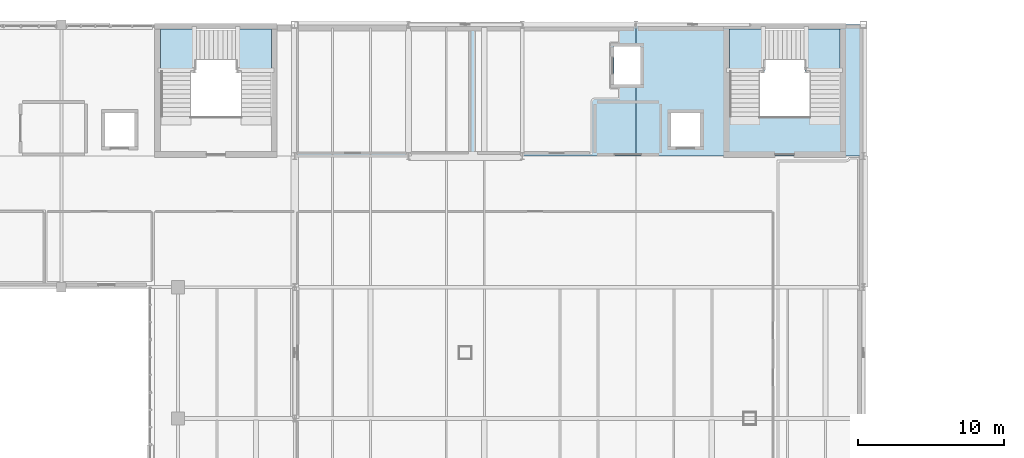
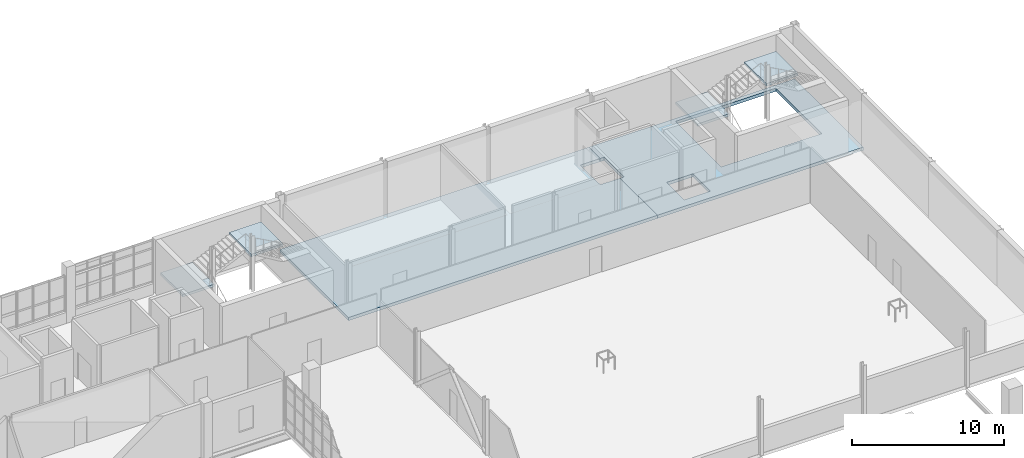
# One storey, part 23 of 38: 6 slabs, 2 elements without a shape of their own.
"""IFC4 building model written with IfcOpenShell, lengths in metres."""

from ifc_helpers import new_model, si_unit, derived_unit, direction, frame, origin, place, context, subcontext, project, spatial, polyline, outline, extrude, material, layer, layer_set, type_object, element, aggregate, save


model = new_model("IFC4")

# Units and contexts
model_context = context("Model", 3, precision=1e-05, world=origin(), true_north=direction((0.0, 1.0)))
body_context = subcontext(model_context, "Body", "Model", "MODEL_VIEW")
ifc_project = project(units=[si_unit("LENGTHUNIT", "METRE"), si_unit("AREAUNIT", "SQUARE_METRE"), si_unit("VOLUMEUNIT", "CUBIC_METRE"), si_unit("PLANEANGLEUNIT", "RADIAN"), si_unit("MASSUNIT", "GRAM", prefix="KILO"), derived_unit("THERMALTRANSMITTANCEUNIT", [(si_unit("POWERUNIT", "WATT"), 1), (si_unit("LENGTHUNIT", "METRE"), -2), (si_unit("THERMODYNAMICTEMPERATUREUNIT", "KELVIN"), -1)])], contexts=[model_context])

# Site, building, storey
site_placement = place(None, origin())
site = spatial("IfcSite", under=ifc_project, at=site_placement, CompositionType="ELEMENT")
building_placement = place(site_placement, origin())
building = spatial("IfcBuilding", under=site, at=building_placement, Name="Nallur Shell Playhouse", CompositionType="ELEMENT")
storey_placement = place(building_placement, frame((0.0, 0.0, 24.300048828125)))
storey = spatial("IfcBuildingStorey", under=building, at=storey_placement, Name="L06", CompositionType="ELEMENT", Elevation=24.300048828125)

# Stair, slabs
ifc_material_1 = material(Name="Concrete M35", Category="concrete")
stair_type = type_object("IfcStairType", Name="ST-CORE-45", PredefinedType="THREE_QUARTER_TURN_STAIR", material=ifc_material_1)
stair_1_placement = place(storey_placement, origin())
stair_1 = element("IfcStair", 1, at=stair_1_placement, inside=storey, type_object=stair_type, Name="Core JC-3 exit stair ST-03-L06 (L06 to RF1)", PredefinedType="THREE_QUARTER_TURN_STAIR")
ifc_layer_1 = layer(ifc_material_1, 0.199951171875)
ifc_layer_set_1 = layer_set([ifc_layer_1], Name="Concrete M35")
slab_type_1 = type_object("IfcSlabType", Name="SL-LANDING-200", PredefinedType="LANDING", material=ifc_layer_set_1)
slab_1_placement = place(storey_placement, frame((0.0, 0.0, 1.346923828125)))
slab_1 = element("IfcSlab", 2, at=slab_1_placement, type_object=slab_type_1, Name="ST-45 landing 1", PredefinedType="LANDING", context=body_context, shape_type="SweptSolid", body=[
    extrude(outline(polyline([(54.800048828125, 79.800048828125), (57.205078125, 79.800048828125), (57.205078125, 82.699951171875), (54.800048828125, 82.699951171875), (54.800048828125, 79.800048828125)])), origin(), (0.0, 0.0, 1.0), 0.199951171875),
])
slab_2_placement = place(storey_placement, frame((0.0, 0.0, 2.753173828125)))
slab_2 = element("IfcSlab", 3, at=slab_2_placement, type_object=slab_type_1, Name="ST-45 landing 2", PredefinedType="LANDING", context=body_context, shape_type="SweptSolid", body=[
    extrude(outline(polyline([(59.9951171875, 79.800048828125), (62.39990234375, 79.800048828125), (62.39990234375, 82.699951171875), (59.9951171875, 82.699951171875), (59.9951171875, 79.800048828125)])), origin(), (0.0, 0.0, 1.0), 0.199951171875),
])
aggregate(stair_1, [slab_1, slab_2])

stair_2_placement = place(storey_placement, origin())
stair_2 = element("IfcStair", 4, at=stair_2_placement, inside=storey, type_object=stair_type, Name="Core JC-4 exit stair ST-04-L06 (L06 to RF1)", PredefinedType="THREE_QUARTER_TURN_STAIR")
slab_3_placement = place(storey_placement, frame((0.0, 0.0, 1.346923828125)))
slab_3 = element("IfcSlab", 5, at=slab_3_placement, type_object=slab_type_1, Name="ST-45 landing 1", PredefinedType="LANDING", context=body_context, shape_type="SweptSolid", body=[
    extrude(outline(polyline([(93.800048828125, 79.800048828125), (96.205078125, 79.800048828125), (96.205078125, 82.699951171875), (93.800048828125, 82.699951171875), (93.800048828125, 79.800048828125)])), origin(), (0.0, 0.0, 1.0), 0.199951171875),
])
slab_4_placement = place(storey_placement, frame((0.0, 0.0, 2.753173828125)))
slab_4 = element("IfcSlab", 6, at=slab_4_placement, type_object=slab_type_1, Name="ST-45 landing 2", PredefinedType="LANDING", context=body_context, shape_type="SweptSolid", body=[
    extrude(outline(polyline([(98.9951171875, 79.800048828125), (101.39990234375, 79.800048828125), (101.39990234375, 82.699951171875), (98.9951171875, 82.699951171875), (98.9951171875, 79.800048828125)])), origin(), (0.0, 0.0, 1.0), 0.199951171875),
])
aggregate(stair_2, [slab_3, slab_4])

# Slabs
ifc_material_2 = material(Name="Concrete M30", Category="concrete")
ifc_layer_2 = layer(ifc_material_2, 0.25)
ifc_layer_set_2 = layer_set([ifc_layer_2], Name="Concrete M30")
slab_type_2 = type_object("IfcSlabType", Name="SL-UPPER-250", PredefinedType="FLOOR", material=ifc_layer_set_2)
slab_5_placement = place(storey_placement, frame((0.0, 0.0, -0.25)))
element("IfcSlab", 7, at=slab_5_placement, inside=storey, type_object=slab_type_2, Name="L06 structural floor slab panel 06", PredefinedType="FLOOR", context=body_context, shape_type="SweptSolid", body=[
    extrude(outline(polyline([(87.39990234375, 83.0), (87.39990234375, 81.5), (85.89990234375, 81.5), (85.89990234375, 78.89990234375), (87.39990234375, 78.89990234375), (87.39990234375, 74.0), (64.0, 74.0), (64.0, 83.0), (87.39990234375, 83.0)])), origin(), (0.0, 0.0, 1.0), 0.25),
])
slab_6_placement = place(storey_placement, frame((0.0, 0.0, -0.25)))
element("IfcSlab", 8, at=slab_6_placement, inside=storey, type_object=slab_type_2, Name="L06 structural floor slab panel 08", PredefinedType="FLOOR", context=body_context, shape_type="SweptSolid", body=[
    extrude(outline(polyline([(103.0, 83.0), (103.0, 74.0), (87.39990234375, 74.0), (87.39990234375, 78.89990234375), (87.699951171875, 78.89990234375), (87.699951171875, 81.5), (87.39990234375, 81.5), (87.39990234375, 83.0), (103.0, 83.0)]), holes=[polyline([(89.800048828125, 74.64990234375), (91.800048828125, 74.64990234375), (91.800048828125, 76.949951171875), (89.800048828125, 76.949951171875), (89.800048828125, 74.64990234375)]), polyline([(93.800048828125, 82.699951171875), (93.800048828125, 76.699951171875), (101.39990234375, 76.699951171875), (101.39990234375, 82.699951171875), (93.800048828125, 82.699951171875)])]), origin(), (0.0, 0.0, 1.0), 0.25),
])

save(model, "model.ifc")
